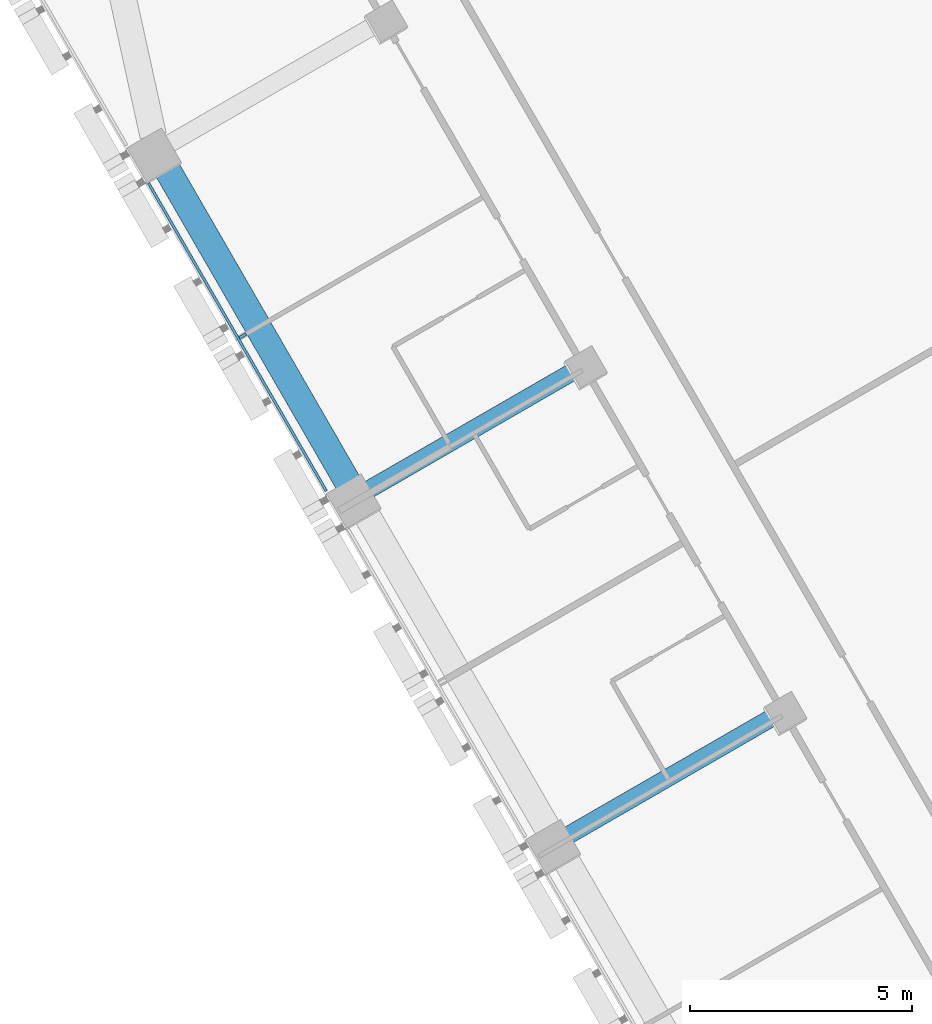
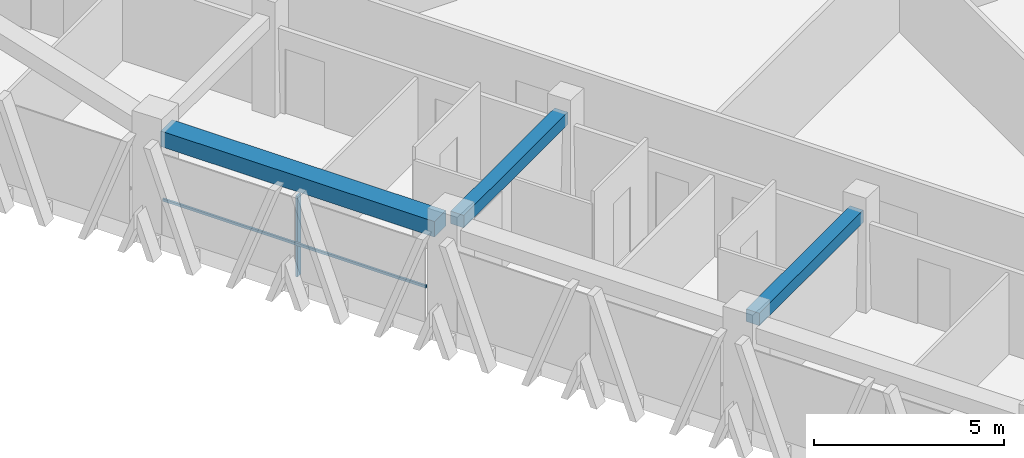
# One storey, part 3 of 18: 3 beams, 2 members, 1 element without a shape of its own.
"""IFC4 building model written with IfcOpenShell, lengths in metres."""

from ifc_helpers import new_model, si_unit, direction, frame, origin, origin_2d, place, context, subcontext, project, spatial, rectangle, extrude, material, layer, layer_set, material_profile, profile_set, type_object, element, aggregate, save


model = new_model("IFC4")

# Units and contexts
model_context = context("Model", 3, precision=1e-05, world=origin(), true_north=direction((0.0, 1.0)))
body_context = subcontext(model_context, "Body", "Model", "MODEL_VIEW")
ifc_project = project(units=[si_unit("LENGTHUNIT", "METRE"), si_unit("AREAUNIT", "SQUARE_METRE"), si_unit("VOLUMEUNIT", "CUBIC_METRE"), si_unit("PLANEANGLEUNIT", "RADIAN"), si_unit("MASSUNIT", "GRAM", prefix="KILO")], contexts=[model_context])

# Site, building, storey
site_placement = place(None, origin())
site = spatial("IfcSite", under=ifc_project, at=site_placement, CompositionType="ELEMENT")
building_placement = place(site_placement, origin())
building = spatial("IfcBuilding", under=site, at=building_placement, Name="Altiplano Prism Tower", CompositionType="ELEMENT")
storey_placement = place(building_placement, frame((0.0, 0.0, 34.199951171875)))
storey = spatial("IfcBuildingStorey", under=building, at=storey_placement, Name="L07", CompositionType="ELEMENT", Elevation=34.199951171875)

# Curtain wall, members
ifc_material_1 = material(Name="Aluminium and glass", Category="aluminium")
ifc_layer = layer(ifc_material_1, 0.280029296875)
ifc_layer_set = layer_set([ifc_layer], Name="Aluminium and glass")
curtain_wall_type = type_object("IfcCurtainWallType", Name="CW1 typical co-living unitised curtain wall", PredefinedType="NOTDEFINED", material=ifc_layer_set)
curtain_wall_placement = place(storey_placement, origin())
curtain_wall = element("IfcCurtainWall", 1, at=curtain_wall_placement, inside=storey, type_object=curtain_wall_type, Name="CW1 curtain wall south-west face L07", PredefinedType="NOTDEFINED")
ifc_material_2 = material(Name="Aluminium", Category="aluminium")
ifc_material_profile_1 = material_profile(ifc_material_2, rectangle(XDim=0.179931640625, YDim=0.06494140625, at=origin_2d()), Name="CW1 mullion 65 x 180")
ifc_profile_set_1 = profile_set([ifc_material_profile_1], Name="Aluminium")
member_type_1 = type_object("IfcMemberType", Name="CW1 mullion 65 x 180", PredefinedType="MULLION", material=ifc_profile_set_1)
member_1_placement = place(storey_placement, frame((62.637939453125, 81.666259765625, 0.0), z_axis=(0.0, 0.0, 1.0), x_axis=(0.866025410216, 0.49999998886, 0.0)))
member_1 = element("IfcMember", 2, at=member_1_placement, type_object=member_type_1, Name="CW1 mullion", PredefinedType="MULLION", context=body_context, shape_type="SweptSolid", body=[
    extrude(rectangle(XDim=0.179931640625, YDim=0.06494140625, at=origin_2d()), origin(), (0.0, 0.0, 1.0), 2.60009765625),
])
ifc_material_profile_2 = material_profile(ifc_material_2, rectangle(XDim=0.06005859375, YDim=0.080078125, at=origin_2d()), Name="CW1 transom 80 x 60")
ifc_profile_set_2 = profile_set([ifc_material_profile_2], Name="Aluminium")
member_type_2 = type_object("IfcMemberType", Name="CW1 transom 80 x 60", PredefinedType="USERDEFINED", material=ifc_profile_set_2)
member_2_placement = place(storey_placement, frame((60.509521484375, 85.113037109375, 1.10009765625), z_axis=(0.499989486807, -0.866031473494, 0.0), x_axis=(0.866031473494, 0.499989486807, 0.0)))
member_2 = element("IfcMember", 3, at=member_2_placement, type_object=member_type_2, Name="CW1 transom", ObjectType="TRANSOM", PredefinedType="USERDEFINED", context=body_context, shape_type="SweptSolid", body=[
    extrude(rectangle(XDim=0.06005859375, YDim=0.080078125, at=origin_2d()), origin(), (0.0, 0.0, 1.0), 8.019775390625),
])
aggregate(curtain_wall, [member_1, member_2])

# Beams
ifc_material_3 = material(Name="Concrete C60/75", Category="concrete")
ifc_material_profile_3 = material_profile(ifc_material_3, rectangle(XDim=0.60009765625, YDim=0.5, at=origin_2d()), Name="Edge beam 600x500")
ifc_profile_set_3 = profile_set([ifc_material_profile_3], Name="Concrete C60/75")
beam_type_1 = type_object("IfcBeamType", Name="Edge beam 600x500", PredefinedType="SPANDREL", material=ifc_profile_set_3)
beam_placement = place(storey_placement, frame((60.858154296875, 85.546142578125, 2.85009765625), z_axis=(0.499992746786, -0.866029591389, 0.0), x_axis=(0.866029591389, 0.499992746786, 0.0)))
element("IfcBeam", 4, at=beam_placement, inside=storey, type_object=beam_type_1, Name="Edge beam P11-P12 L08", PredefinedType="SPANDREL", context=body_context, shape_type="SweptSolid", body=[
    extrude(rectangle(XDim=0.60009765625, YDim=0.5, at=origin_2d()), origin(), (0.0, 0.0, 1.0), 8.33984375),
])
ifc_material_profile_4 = material_profile(ifc_material_3, rectangle(XDim=0.39990234375, YDim=0.39990234375, at=origin_2d()), Name="Tie beam 400x400")
ifc_profile_set_4 = profile_set([ifc_material_profile_4], Name="Concrete C60/75")
beam_type_2 = type_object("IfcBeamType", Name="Tie beam 400x400", PredefinedType="BEAM", material=ifc_profile_set_4)
for number, where, z_axis, x_axis, name in (
    (5, (70.2333984375, 80.94775390625, 2.900146484375), (-0.866012292785, -0.50002270823, 0.0), (0.50002270823, -0.866012292785, 0.0), "Tie beam I12 L08"),
    (6, (74.7333984375, 73.153564453125, 2.900146484375), (-0.866012292785, -0.50002270823, 0.0), (0.50002270823, -0.866012292785, 0.0), "Tie beam I13 L08"),
):
    element("IfcBeam", number, at=place(storey_placement, frame(where, z_axis=z_axis, x_axis=x_axis)), inside=storey, type_object=beam_type_2, Name=name, PredefinedType="BEAM", context=body_context, shape_type="SweptSolid", body=[
        extrude(rectangle(XDim=0.39990234375, YDim=0.39990234375, at=origin_2d()), origin(), (0.0, 0.0, 1.0), 5.489990234375),
    ])

save(model, "model.ifc")
